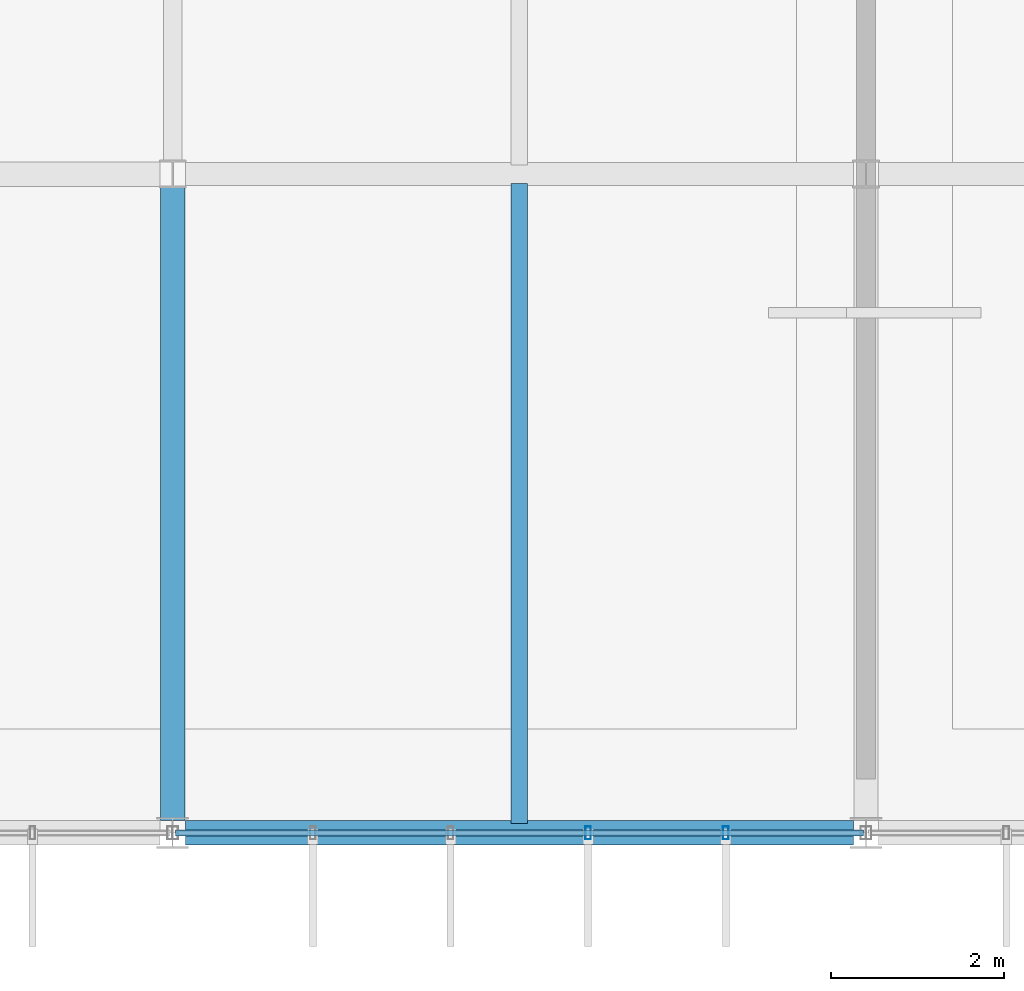
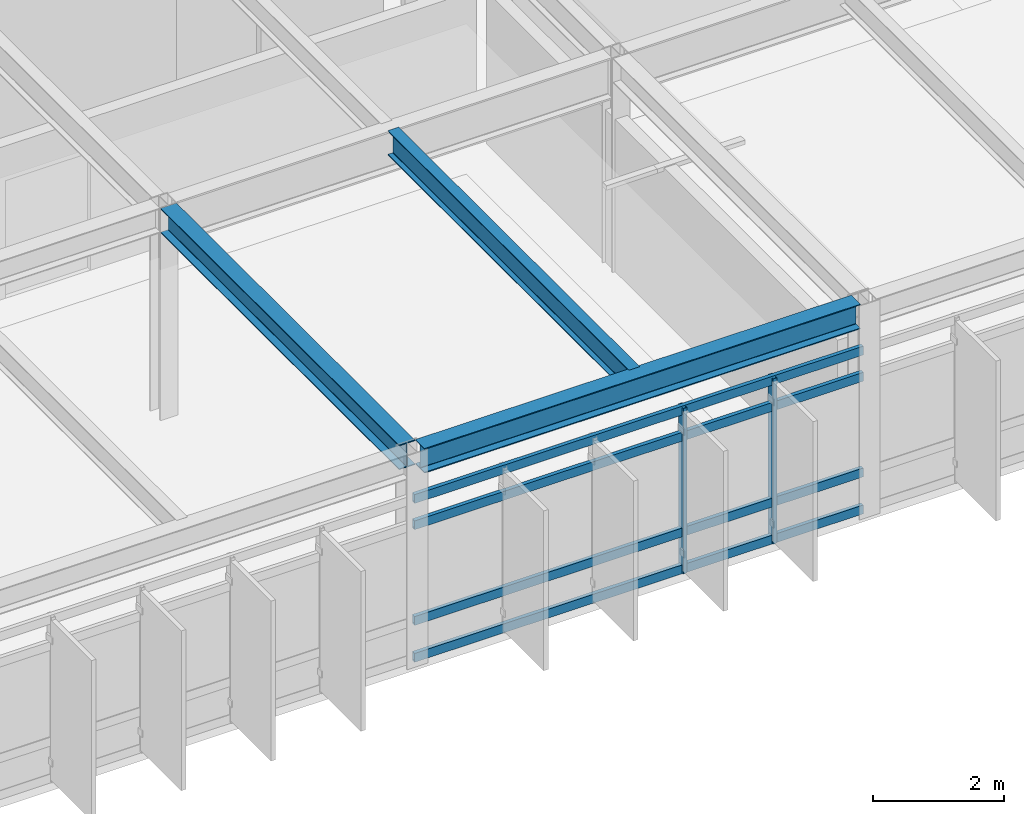
# One storey, part 9 of 33: 6 members, 3 beams, 1 element without a shape of its own.
"""IFC4 building model written with IfcOpenShell, lengths in metres."""

from ifc_helpers import new_model, si_unit, direction, frame, origin, origin_2d, place, context, subcontext, project, spatial, hollow_rectangle, i_section, extrude, material, material_profile, profile_set, type_object, element, aggregate, save


model = new_model("IFC4")

# Units and contexts
model_context = context("Model", 3, precision=1e-05, world=origin(), true_north=direction((0.0, 1.0)))
body_context = subcontext(model_context, "Body", "Model", "MODEL_VIEW")
ifc_project = project(units=[si_unit("LENGTHUNIT", "METRE"), si_unit("AREAUNIT", "SQUARE_METRE"), si_unit("VOLUMEUNIT", "CUBIC_METRE"), si_unit("PLANEANGLEUNIT", "RADIAN"), si_unit("MASSUNIT", "GRAM", prefix="KILO")], contexts=[model_context])

# Site, building, storey
site_placement = place(None, origin())
site = spatial("IfcSite", under=ifc_project, at=site_placement, CompositionType="ELEMENT")
building_placement = place(site_placement, origin())
building = spatial("IfcBuilding", under=site, at=building_placement, Name="Zulena Civic Courthouse", CompositionType="ELEMENT")
storey_placement = place(building_placement, frame((0.0, 0.0, 33.60009765625)))
storey = spatial("IfcBuildingStorey", under=building, at=storey_placement, Name="L07", CompositionType="ELEMENT", Elevation=33.60009765625)

# Curtain wall, members
ifc_material_1 = material(Name="Double-silver low-E laminated solar-control glass", Category="glass")
curtain_wall_type = type_object("IfcCurtainWallType", Name="CW_7940x3090", PredefinedType="USERDEFINED", material=ifc_material_1)
curtain_wall_placement = place(storey_placement, origin())
curtain_wall = element("IfcCurtainWall", 1, at=curtain_wall_placement, inside=storey, type_object=curtain_wall_type, Name="cw:V2:L07:3:5", ObjectType="UNITISED CURTAIN WALL", PredefinedType="USERDEFINED")
ifc_material_2 = material(Name="Bronze anodised thermally broken aluminium AA6063-T6", Category="aluminium")
ifc_material_profile_1 = material_profile(ifc_material_2, hollow_rectangle(XDim=0.06494140625, YDim=0.14990234375, WallThickness=0.00390625, at=origin_2d()), Name="CWM150X65X4")
ifc_profile_set_1 = profile_set([ifc_material_profile_1], Name="Bronze anodised thermally broken aluminium AA6063-T6")
member_type_1 = type_object("IfcMemberType", Name="CWMullion_150x65", PredefinedType="MULLION", material=ifc_profile_set_1)
member_1_placement = place(storey_placement, frame((26.382080078125, 0.0, 0.0), z_axis=(0.0, 0.0, 1.0), x_axis=(1.0, 0.0, 0.0)))
member_1 = element("IfcMember", 2, at=member_1_placement, type_object=member_type_1, Name="cw:V2:L07:3:5:mull:1", PredefinedType="MULLION", context=body_context, shape_type="SweptSolid", body=[
    extrude(hollow_rectangle(XDim=0.06494140625, YDim=0.14990234375, WallThickness=0.00390625, at=origin_2d()), origin(), (0.0, 0.0, 1.0), 3.08984375),
])
member_2_placement = place(storey_placement, frame((24.7939453125, 0.0, 0.0), z_axis=(0.0, 0.0, 1.0), x_axis=(1.0, 0.0, 0.0)))
member_2 = element("IfcMember", 3, at=member_2_placement, type_object=member_type_1, Name="cw:V2:L07:3:5:mull:2", PredefinedType="MULLION", context=body_context, shape_type="SweptSolid", body=[
    extrude(hollow_rectangle(XDim=0.06494140625, YDim=0.14990234375, WallThickness=0.00390625, at=origin_2d()), origin(), (0.0, 0.0, 1.0), 3.08984375),
])
ifc_material_profile_2 = material_profile(ifc_material_2, hollow_rectangle(XDim=0.070068359375, YDim=0.1650390625, WallThickness=0.00390625, at=origin_2d()), Name="CWT165X70X4")
ifc_profile_set_2 = profile_set([ifc_material_profile_2], Name="Bronze anodised thermally broken aluminium AA6063-T6")
member_type_2 = type_object("IfcMemberType", Name="CWTransom_165x70", PredefinedType="USERDEFINED", material=ifc_profile_set_2)
member_3_placement = place(storey_placement, frame((27.969970703125, 0.0, 0.059814453125), z_axis=(-1.0, 0.0, 0.0), x_axis=(0.0, -1.0, 0.0)))
member_3 = element("IfcMember", 4, at=member_3_placement, type_object=member_type_2, Name="cw:V2:L07:3:5:tran:0", ObjectType="TRANSOM", PredefinedType="USERDEFINED", context=body_context, shape_type="SweptSolid", body=[
    extrude(hollow_rectangle(XDim=0.070068359375, YDim=0.1650390625, WallThickness=0.00390625, at=origin_2d()), origin(), (0.0, 0.0, 1.0), 7.93994140625),
])
member_4_placement = place(storey_placement, frame((27.969970703125, 0.0, 0.75), z_axis=(-1.0, 0.0, 0.0), x_axis=(0.0, -1.0, 0.0)))
member_4 = element("IfcMember", 5, at=member_4_placement, type_object=member_type_2, Name="cw:V2:L07:3:5:tran:1", ObjectType="TRANSOM", PredefinedType="USERDEFINED", context=body_context, shape_type="SweptSolid", body=[
    extrude(hollow_rectangle(XDim=0.070068359375, YDim=0.1650390625, WallThickness=0.00390625, at=origin_2d()), origin(), (0.0, 0.0, 1.0), 7.93994140625),
])
member_5_placement = place(storey_placement, frame((27.969970703125, 0.0, 2.539794921875), z_axis=(-1.0, 0.0, 0.0), x_axis=(0.0, -1.0, 0.0)))
member_5 = element("IfcMember", 6, at=member_5_placement, type_object=member_type_2, Name="cw:V2:L07:3:5:tran:2", ObjectType="TRANSOM", PredefinedType="USERDEFINED", context=body_context, shape_type="SweptSolid", body=[
    extrude(hollow_rectangle(XDim=0.070068359375, YDim=0.1650390625, WallThickness=0.00390625, at=origin_2d()), origin(), (0.0, 0.0, 1.0), 7.93994140625),
])
member_6_placement = place(storey_placement, frame((27.969970703125, 0.0, 3.02978515625), z_axis=(-1.0, 0.0, 0.0), x_axis=(0.0, -1.0, 0.0)))
member_6 = element("IfcMember", 7, at=member_6_placement, type_object=member_type_2, Name="cw:V2:L07:3:5:tran:3", ObjectType="TRANSOM", PredefinedType="USERDEFINED", context=body_context, shape_type="SweptSolid", body=[
    extrude(hollow_rectangle(XDim=0.070068359375, YDim=0.1650390625, WallThickness=0.00390625, at=origin_2d()), origin(), (0.0, 0.0, 1.0), 7.93994140625),
])
aggregate(curtain_wall, [member_1, member_2, member_3, member_4, member_5, member_6])

# Beams
ifc_material_3 = material(Name="Steel ASTM A992 Grade 50", Category="steel")
ifc_material_profile_3 = material_profile(ifc_material_3, i_section(OverallWidth=0.19091796875, OverallDepth=0.4599609375, WebThickness=0.010009765625, FlangeThickness=0.01611328125, FilletRadius=0.01025390625, at=origin_2d()), Name="W18X55")
ifc_profile_set_3 = profile_set([ifc_material_profile_3], Name="Steel ASTM A992 Grade 50")
beam_type_1 = type_object("IfcBeamType", Name="Joist_W18X55", PredefinedType="JOIST", material=ifc_profile_set_3)
beam_1_placement = place(storey_placement, frame((24.0, 0.10498046875, 3.77001953125), z_axis=(0.0, 1.0, 0.0), x_axis=(-1.0, 0.0, 0.0)))
element("IfcBeam", 8, at=beam_1_placement, inside=storey, type_object=beam_type_1, Name="joist:V2:L07:24.00:0.0_7.6", PredefinedType="JOIST", context=body_context, shape_type="SweptSolid", body=[
    extrude(i_section(OverallWidth=0.19091796875, OverallDepth=0.4599609375, WebThickness=0.010009765625, FlangeThickness=0.01611328125, FilletRadius=0.01025390625, at=origin_2d()), origin(), (0.0, 0.0, 1.0), 7.39013671875),
])
ifc_material_profile_4 = material_profile(ifc_material_3, i_section(OverallWidth=0.280029296875, OverallDepth=0.462890625, WebThickness=0.0107421875, FlangeThickness=0.017333984375, FilletRadius=0.01025390625, at=origin_2d()), Name="W18X76")
ifc_profile_set_4 = profile_set([ifc_material_profile_4], Name="Steel ASTM A992 Grade 50")
beam_type_2 = type_object("IfcBeamType", Name="Spandrel_W18X76", PredefinedType="SPANDREL", material=ifc_profile_set_4)
beam_2_placement = place(storey_placement, frame((20.14501953125, 0.0, 3.768310546875), z_axis=(1.0, 0.0, 0.0), x_axis=(0.0, 1.0, 0.0)))
element("IfcBeam", 9, at=beam_2_placement, inside=storey, type_object=beam_type_2, Name="beam:X:V2:L07:0.0:20.0_28.0", PredefinedType="SPANDREL", context=body_context, shape_type="SweptSolid", body=[
    extrude(i_section(OverallWidth=0.280029296875, OverallDepth=0.462890625, WebThickness=0.0107421875, FlangeThickness=0.017333984375, FilletRadius=0.01025390625, at=origin_2d()), origin(), (0.0, 0.0, 1.0), 7.7099609375),
])
beam_3_placement = place(storey_placement, frame((20.0, 0.14501953125, 3.75830078125), z_axis=(0.0, 1.0, 0.0), x_axis=(-1.0, 0.0, 0.0)))
element("IfcBeam", 10, at=beam_3_placement, inside=storey, type_object=beam_type_2, Name="beam:Y:V2:L07:20.0:0.0_7.6", PredefinedType="SPANDREL", context=body_context, shape_type="SweptSolid", body=[
    extrude(i_section(OverallWidth=0.280029296875, OverallDepth=0.462890625, WebThickness=0.0107421875, FlangeThickness=0.017333984375, FilletRadius=0.01025390625, at=origin_2d()), origin(), (0.0, 0.0, 1.0), 7.31005859375),
])

save(model, "model.ifc")
